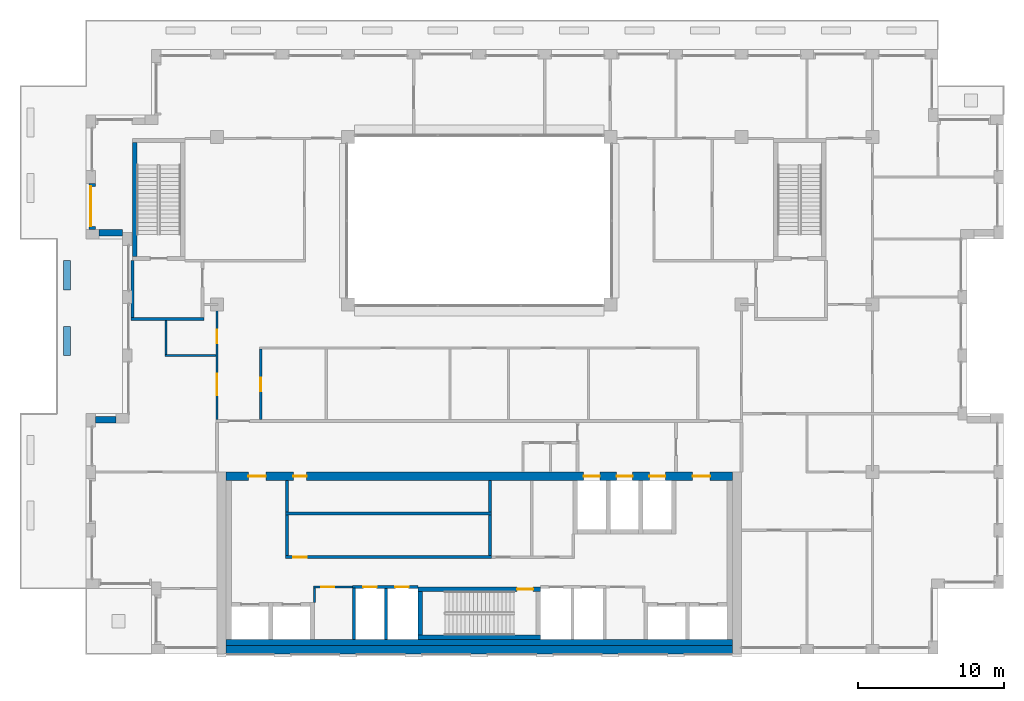
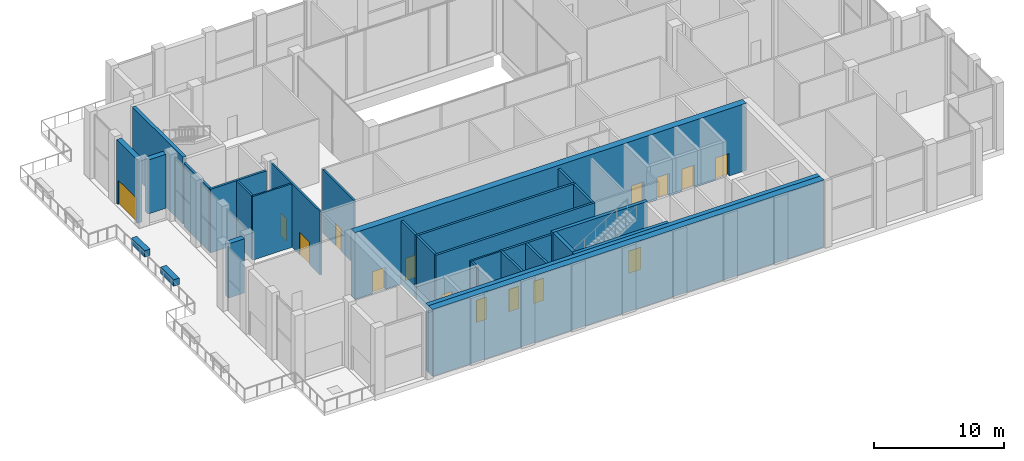
# One storey, part 12 of 18: 29 walls, 15 doors, 15 openings.
"""IFC4 building model written with IfcOpenShell, lengths in metres."""

from ifc_helpers import new_model, si_unit, direction, frame, frame_2d, origin, place, context, subcontext, project, spatial, rectangle, extrude, material, layer, layer_set, type_object, element, fill, save


model = new_model("IFC4")

# Units and contexts
model_context = context("Model", 3, precision=1e-05, world=origin(), true_north=direction((0.0, 1.0)))
body_context = subcontext(model_context, "Body", "Model", "MODEL_VIEW")
ifc_project = project(units=[si_unit("LENGTHUNIT", "METRE"), si_unit("AREAUNIT", "SQUARE_METRE"), si_unit("VOLUMEUNIT", "CUBIC_METRE"), si_unit("PLANEANGLEUNIT", "RADIAN"), si_unit("MASSUNIT", "GRAM", prefix="KILO")], contexts=[model_context])

# Site, building, storey
site_placement = place(None, origin())
site = spatial("IfcSite", under=ifc_project, at=site_placement, CompositionType="ELEMENT")
building_placement = place(site_placement, origin())
building = spatial("IfcBuilding", under=site, at=building_placement, Name="Brigalow Station Residences", CompositionType="ELEMENT")
storey_placement = place(building_placement, frame((0.0, 0.0, 191.699951171875)))
storey = spatial("IfcBuildingStorey", under=building, at=storey_placement, Name="L55", CompositionType="ELEMENT", Elevation=191.699951171875)

# Wall, opening, door
ifc_material_1 = material(Name="Clay brick masonry", Category="masonry")
ifc_layer_1 = layer(ifc_material_1, 0.449951171875)
ifc_layer_set_1 = layer_set([ifc_layer_1], Name="BRICK INFILL WALL 450")
wall_type_1 = type_object("IfcWallType", Name="BRICK INFILL WALL 450", PredefinedType="SOLIDWALL", material=ifc_layer_set_1)
wall_1_placement = place(storey_placement, frame((9.425048828125, 32.300048828125, 0.0), z_axis=(0.0, 0.0, 1.0), x_axis=(0.0, -1.0, 0.0)))
wall_1 = element("IfcWall", 1, at=wall_1_placement, inside=storey, type_object=wall_type_1, Name="L55/ewall/W-L55-35", PredefinedType="SOLIDWALL", context=body_context, shape_type="SweptSolid", body=[
    extrude(rectangle(XDim=3.150146484375, YDim=0.449951171875, at=frame_2d((1.5751953125, 0.0))), origin(), (0.0, 0.0, 1.0), 5.97998046875),
])
opening_1_placement = place(wall_1_placement, frame((0.199951171875, 0.0, 0.0)))
opening_1 = element("IfcOpeningElement", 2, at=opening_1_placement, cuts=wall_1, Name="Opening D-B2750", PredefinedType="OPENING", context=body_context, shape_type="SweptSolid", body=[
    extrude(rectangle(XDim=2.75, YDim=2.300048828125, at=frame_2d((1.375, 1.14990234375))), frame((0.0, 0.23486328125, 0.0), z_axis=(0.0, -1.0, 0.0), x_axis=(1.0, 0.0, 0.0)), (0.0, 0.0, 1.0), 0.469970703125),
])
ifc_material_2 = material(Name="Anodised aluminium frame with double glazing", Category="aluminium")
door_type_1 = type_object("IfcDoorType", Name="BALCONY SLIDING DOOR 2750x2300", OperationType="SLIDING_TO_LEFT", PredefinedType="DOOR", material=ifc_material_2)
door_1_placement = place(opening_1_placement, origin())
door_1 = element("IfcDoor", 3, at=door_1_placement, inside=storey, type_object=door_type_1, Name="L55/balcony-door/W-L55-35", OperationType="SLIDING_TO_LEFT", OverallHeight=2.300048828125, OverallWidth=2.75, PredefinedType="DOOR", context=body_context, shape_type="SweptSolid", body=[
    extrude(rectangle(XDim=2.75, YDim=2.300048828125, at=frame_2d((1.375, 1.14990234375))), frame((0.0, -0.06982421875, 0.0), z_axis=(0.0, -1.0, 0.0), x_axis=(1.0, 0.0, 0.0)), (0.0, 0.0, 1.0), 0.050048828125),
])
fill(opening_1, door_1)

# Walls
wall_2_placement = place(storey_placement, frame((9.89990234375, 28.925048828125, 0.900146484375), z_axis=(0.0, 0.0, 1.0), x_axis=(1.0, 0.0, 0.0)))
element("IfcWall", 4, at=wall_2_placement, inside=storey, type_object=wall_type_1, Name="L55/ewall/W-L55-36", PredefinedType="SOLIDWALL", context=body_context, shape_type="SweptSolid", body=[
    extrude(rectangle(XDim=1.60009765625, YDim=0.449951171875, at=frame_2d((0.800048828125, 0.0))), origin(), (0.0, 0.0, 1.0), 5.079833984375),
])
wall_3_placement = place(storey_placement, frame((11.050048828125, 16.074951171875, 0.900146484375), z_axis=(0.0, 0.0, 1.0), x_axis=(-1.0, 0.0, 0.0)))
element("IfcWall", 5, at=wall_3_placement, inside=storey, type_object=wall_type_1, Name="L55/ewall/W-L55-40", PredefinedType="SOLIDWALL", context=body_context, shape_type="SweptSolid", body=[
    extrude(rectangle(XDim=1.400146484375, YDim=0.449951171875, at=frame_2d((0.7001953125, 0.0))), origin(), (0.0, 0.0, 1.0), 5.079833984375),
])
ifc_material_3 = material(Name="Concrete C50", Category="concrete")
ifc_layer_2 = layer(ifc_material_3, 0.300048828125)
ifc_layer_set_2 = layer_set([ifc_layer_2], Name="CORE SHEAR WALL 300 C50")
wall_type_2 = type_object("IfcWallType", Name="CORE SHEAR WALL 300 C50", PredefinedType="SHEAR", material=ifc_layer_set_2)
wall_4_placement = place(storey_placement, frame((31.800048828125, 1.14990234375, 0.0), z_axis=(0.0, 0.0, 1.0), x_axis=(1.0, 0.0, 0.0)))
element("IfcWall", 6, at=wall_4_placement, inside=storey, type_object=wall_type_2, Name="CORE WALL ST-S2-S L55", PredefinedType="SHEAR", context=body_context, shape_type="SweptSolid", body=[
    extrude(rectangle(XDim=8.39990234375, YDim=0.300048828125, at=frame_2d((4.199951171875, 0.0))), origin(), (0.0, 0.0, 1.0), 6.300048828125),
])

# Wall, opening, door
wall_5_placement = place(storey_placement, frame((31.800048828125, 4.449951171875, 0.0), z_axis=(0.0, 0.0, 1.0), x_axis=(1.0, 0.0, 0.0)))
wall_5 = element("IfcWall", 7, at=wall_5_placement, inside=storey, type_object=wall_type_2, Name="CORE WALL ST-S2-N L55", PredefinedType="SHEAR", context=body_context, shape_type="SweptSolid", body=[
    extrude(rectangle(XDim=8.39990234375, YDim=0.300048828125, at=frame_2d((4.199951171875, 0.0))), origin(), (0.0, 0.0, 1.0), 6.300048828125),
])
opening_2_placement = place(wall_5_placement, frame((6.800048828125, 0.0, 0.0)))
opening_2 = element("IfcOpeningElement", 8, at=opening_2_placement, cuts=wall_5, Name="Opening D-5001", PredefinedType="OPENING", context=body_context, shape_type="SweptSolid", body=[
    extrude(rectangle(XDim=1.10009765625, YDim=2.10009765625, at=frame_2d((0.550048828125, 1.050048828125))), frame((0.0, 0.16015625, 0.0), z_axis=(0.0, -1.0, 0.0), x_axis=(1.0, 0.0, 0.0)), (0.0, 0.0, 1.0), 0.320068359375),
])
ifc_material_4 = material(Name="Steel fire door leaf in steel frame", Category="steel")
door_type_2 = type_object("IfcDoorType", Name="STAIR DOOR 1100 x 2100 FD60S", OperationType="SINGLE_SWING_LEFT", PredefinedType="DOOR", material=ifc_material_4)
door_2_placement = place(opening_2_placement, frame((1.10009765625, 0.0, 0.0), z_axis=(0.0, 0.0, 1.0), x_axis=(-1.0, 0.0, 0.0)))
door_2 = element("IfcDoor", 9, at=door_2_placement, inside=storey, type_object=door_type_2, Name="D-5001", OperationType="SINGLE_SWING_LEFT", OverallHeight=2.10009765625, OverallWidth=1.10009765625, PredefinedType="DOOR", context=body_context, shape_type="SweptSolid", body=[
    extrude(rectangle(XDim=1.10009765625, YDim=2.10009765625, at=frame_2d((0.550048828125, 1.050048828125))), frame((0.0, 0.02490234375, 0.0), z_axis=(0.0, -1.0, 0.0), x_axis=(1.0, 0.0, 0.0)), (0.0, 0.0, 1.0), 0.050048828125),
])
fill(opening_2, door_2)

# Walls
wall_6_placement = place(storey_placement, frame((31.949951171875, 1.300048828125, 0.0), z_axis=(0.0, 0.0, 1.0), x_axis=(0.0, 1.0, 0.0)))
element("IfcWall", 10, at=wall_6_placement, inside=storey, type_object=wall_type_2, Name="CORE WALL ST-S2-W L55", PredefinedType="SHEAR", context=body_context, shape_type="SweptSolid", body=[
    extrude(rectangle(XDim=3.0, YDim=0.300048828125, at=frame_2d((1.5, 0.0))), origin(), (0.0, 0.0, 1.0), 6.300048828125),
])
wall_7_placement = place(storey_placement, frame((12.35009765625, 27.300048828125, 0.0), z_axis=(0.0, 0.0, 1.0), x_axis=(0.0, 1.0, 0.0)))
element("IfcWall", 11, at=wall_7_placement, inside=storey, type_object=wall_type_2, Name="CORE WALL ST-S1-W L55", PredefinedType="SHEAR", context=body_context, shape_type="SweptSolid", body=[
    extrude(rectangle(XDim=7.800048828125, YDim=0.300048828125, at=frame_2d((3.89990234375, 0.0))), origin(), (0.0, 0.0, 1.0), 6.300048828125),
])
ifc_material_5 = material(Name="Concrete C50", Category="concrete")
ifc_layer_3 = layer(ifc_material_5, 0.39990234375)
ifc_layer_set_3 = layer_set([ifc_layer_3], Name="CORE SHEAR WALL 400 C50")
wall_type_3 = type_object("IfcWallType", Name="CORE SHEAR WALL 400 C50", PredefinedType="SHEAR", material=ifc_layer_set_3)
wall_8_placement = place(storey_placement, frame((18.60009765625, 0.800048828125, 0.0), z_axis=(0.0, 0.0, 1.0), x_axis=(1.0, 0.0, 0.0)))
element("IfcWall", 12, at=wall_8_placement, inside=storey, type_object=wall_type_3, Name="CORE WALL LIN-S L55", PredefinedType="SHEAR", context=body_context, shape_type="SweptSolid", body=[
    extrude(rectangle(XDim=34.7998046875, YDim=0.39990234375, at=frame_2d((17.39990234375, 0.0))), origin(), (0.0, 0.0, 1.0), 6.300048828125),
])
ifc_material_6 = material(Name="Concrete C50", Category="concrete")
ifc_layer_4 = layer(ifc_material_6, 0.60009765625)
ifc_layer_set_4 = layer_set([ifc_layer_4], Name="CORE SHEAR WALL 600 C50")
wall_type_4 = type_object("IfcWallType", Name="CORE SHEAR WALL 600 C50", PredefinedType="SHEAR", material=ifc_layer_set_4)
wall_9_placement = place(storey_placement, frame((18.60009765625, 0.300048828125, 0.0), z_axis=(0.0, 0.0, 1.0), x_axis=(1.0, 0.0, 0.0)))
element("IfcWall", 13, at=wall_9_placement, inside=storey, type_object=wall_type_4, Name="CORE WALL OUT-S L55", PredefinedType="SHEAR", context=body_context, shape_type="SweptSolid", body=[
    extrude(rectangle(XDim=34.7998046875, YDim=0.60009765625, at=frame_2d((17.39990234375, 0.0))), origin(), (0.0, 0.0, 1.0), 6.300048828125),
])

# Wall, openings, doors
wall_10_placement = place(storey_placement, frame((18.60009765625, 12.199951171875, 0.0), z_axis=(0.0, 0.0, 1.0), x_axis=(1.0, 0.0, 0.0)))
wall_10 = element("IfcWall", 14, at=wall_10_placement, inside=storey, type_object=wall_type_4, Name="CORE WALL OUT-N L55", PredefinedType="SHEAR", context=body_context, shape_type="SweptSolid", body=[
    extrude(rectangle(XDim=34.7998046875, YDim=0.60009765625, at=frame_2d((17.39990234375, 0.0))), origin(), (0.0, 0.0, 1.0), 6.300048828125),
])
opening_3_placement = place(wall_10_placement, frame((24.574951171875, 0.0, 0.0)))
opening_3 = element("IfcOpeningElement", 15, at=opening_3_placement, cuts=wall_10, Name="Opening LD-LF1", PredefinedType="OPENING", context=body_context, shape_type="SweptSolid", body=[
    extrude(rectangle(XDim=1.10009765625, YDim=2.10009765625, at=frame_2d((0.550048828125, 1.050048828125))), frame((0.0, 0.31005859375, 0.0), z_axis=(0.0, -1.0, 0.0), x_axis=(1.0, 0.0, 0.0)), (0.0, 0.0, 1.0), 0.6201171875),
])
opening_4_placement = place(wall_10_placement, frame((26.824951171875, 0.0, 0.0)))
opening_4 = element("IfcOpeningElement", 16, at=opening_4_placement, cuts=wall_10, Name="Opening LD-LF2", PredefinedType="OPENING", context=body_context, shape_type="SweptSolid", body=[
    extrude(rectangle(XDim=1.10009765625, YDim=2.10009765625, at=frame_2d((0.550048828125, 1.050048828125))), frame((0.0, 0.31005859375, 0.0), z_axis=(0.0, -1.0, 0.0), x_axis=(1.0, 0.0, 0.0)), (0.0, 0.0, 1.0), 0.6201171875),
])
opening_5_placement = place(wall_10_placement, frame((29.074951171875, 0.0, 0.0)))
opening_5 = element("IfcOpeningElement", 17, at=opening_5_placement, cuts=wall_10, Name="Opening LD-LG1", PredefinedType="OPENING", context=body_context, shape_type="SweptSolid", body=[
    extrude(rectangle(XDim=1.10009765625, YDim=2.10009765625, at=frame_2d((0.550048828125, 1.050048828125))), frame((0.0, 0.31005859375, 0.0), z_axis=(0.0, -1.0, 0.0), x_axis=(1.0, 0.0, 0.0)), (0.0, 0.0, 1.0), 0.6201171875),
])
opening_6_placement = place(wall_10_placement, frame((4.64990234375, 0.0, 0.0)))
opening_6 = element("IfcOpeningElement", 18, at=opening_6_placement, cuts=wall_10, Name="Opening D-5127", PredefinedType="OPENING", context=body_context, shape_type="SweptSolid", body=[
    extrude(rectangle(XDim=0.89990234375, YDim=2.10009765625, at=frame_2d((0.449951171875, 1.050048828125))), frame((0.0, 0.31005859375, 0.0), z_axis=(0.0, -1.0, 0.0), x_axis=(1.0, 0.0, 0.0)), (0.0, 0.0, 1.0), 0.6201171875),
])
opening_7_placement = place(wall_10_placement, frame((1.550048828125, 0.0, 0.0)))
opening_7 = element("IfcOpeningElement", 19, at=opening_7_placement, cuts=wall_10, Name="Opening D-5011", PredefinedType="OPENING", context=body_context, shape_type="SweptSolid", body=[
    extrude(rectangle(XDim=1.199951171875, YDim=2.10009765625, at=frame_2d((0.60009765625, 1.050048828125))), frame((0.0, 0.31005859375, 0.0), z_axis=(0.0, -1.0, 0.0), x_axis=(1.0, 0.0, 0.0)), (0.0, 0.0, 1.0), 0.6201171875),
])
opening_8_placement = place(wall_10_placement, frame((32.050048828125, 0.0, 0.0)))
opening_8 = element("IfcOpeningElement", 20, at=opening_8_placement, cuts=wall_10, Name="Opening D-5012", PredefinedType="OPENING", context=body_context, shape_type="SweptSolid", body=[
    extrude(rectangle(XDim=1.199951171875, YDim=2.10009765625, at=frame_2d((0.60009765625, 1.050048828125))), frame((0.0, 0.31005859375, 0.0), z_axis=(0.0, -1.0, 0.0), x_axis=(1.0, 0.0, 0.0)), (0.0, 0.0, 1.0), 0.6201171875),
])
ifc_material_7 = material(Name="Steel fire door leaf in steel frame", Category="steel")
door_type_3 = type_object("IfcDoorType", Name="CORE CORRIDOR DOOR 1200 x 2100 FD60S", OperationType="SINGLE_SWING_LEFT", PredefinedType="DOOR", material=ifc_material_7)
door_3_placement = place(opening_7_placement, frame((1.199951171875, 0.0, 0.0), z_axis=(0.0, 0.0, 1.0), x_axis=(-1.0, 0.0, 0.0)))
door_3 = element("IfcDoor", 21, at=door_3_placement, inside=storey, type_object=door_type_3, Name="D-5011", OperationType="SINGLE_SWING_LEFT", OverallHeight=2.10009765625, OverallWidth=1.199951171875, PredefinedType="DOOR", context=body_context, shape_type="SweptSolid", body=[
    extrude(rectangle(XDim=1.199951171875, YDim=2.10009765625, at=frame_2d((0.60009765625, 1.050048828125))), frame((0.0, 0.02490234375, 0.0), z_axis=(0.0, -1.0, 0.0), x_axis=(1.0, 0.0, 0.0)), (0.0, 0.0, 1.0), 0.050048828125),
])
fill(opening_7, door_3)
door_4_placement = place(opening_8_placement, frame((1.199951171875, 0.0, 0.0), z_axis=(0.0, 0.0, 1.0), x_axis=(-1.0, 0.0, 0.0)))
door_4 = element("IfcDoor", 22, at=door_4_placement, inside=storey, type_object=door_type_3, Name="D-5012", OperationType="SINGLE_SWING_LEFT", OverallHeight=2.10009765625, OverallWidth=1.199951171875, PredefinedType="DOOR", context=body_context, shape_type="SweptSolid", body=[
    extrude(rectangle(XDim=1.199951171875, YDim=2.10009765625, at=frame_2d((0.60009765625, 1.050048828125))), frame((0.0, 0.02490234375, 0.0), z_axis=(0.0, -1.0, 0.0), x_axis=(1.0, 0.0, 0.0)), (0.0, 0.0, 1.0), 0.050048828125),
])
fill(opening_8, door_4)
ifc_material_8 = material(Name="Stainless steel sliding door leaves", Category="steel")
door_type_4 = type_object("IfcDoorType", Name="LIFT LANDING DOOR 1100 x 2100", OperationType="DOUBLE_DOOR_SLIDING", PredefinedType="DOOR", material=ifc_material_8)
door_5_placement = place(opening_3_placement, origin())
door_5 = element("IfcDoor", 23, at=door_5_placement, inside=storey, type_object=door_type_4, Name="LANDING DOOR LF1", OperationType="DOUBLE_DOOR_SLIDING", OverallHeight=2.10009765625, OverallWidth=1.10009765625, PredefinedType="DOOR", context=body_context, shape_type="SweptSolid", body=[
    extrude(rectangle(XDim=1.10009765625, YDim=2.10009765625, at=frame_2d((0.550048828125, 1.050048828125))), frame((0.0, 0.02490234375, 0.0), z_axis=(0.0, -1.0, 0.0), x_axis=(1.0, 0.0, 0.0)), (0.0, 0.0, 1.0), 0.050048828125),
])
fill(opening_3, door_5)
door_6_placement = place(opening_4_placement, origin())
door_6 = element("IfcDoor", 24, at=door_6_placement, inside=storey, type_object=door_type_4, Name="LANDING DOOR LF2", OperationType="DOUBLE_DOOR_SLIDING", OverallHeight=2.10009765625, OverallWidth=1.10009765625, PredefinedType="DOOR", context=body_context, shape_type="SweptSolid", body=[
    extrude(rectangle(XDim=1.10009765625, YDim=2.10009765625, at=frame_2d((0.550048828125, 1.050048828125))), frame((0.0, 0.02490234375, 0.0), z_axis=(0.0, -1.0, 0.0), x_axis=(1.0, 0.0, 0.0)), (0.0, 0.0, 1.0), 0.050048828125),
])
fill(opening_4, door_6)
door_7_placement = place(opening_5_placement, origin())
door_7 = element("IfcDoor", 25, at=door_7_placement, inside=storey, type_object=door_type_4, Name="LANDING DOOR LG1", OperationType="DOUBLE_DOOR_SLIDING", OverallHeight=2.10009765625, OverallWidth=1.10009765625, PredefinedType="DOOR", context=body_context, shape_type="SweptSolid", body=[
    extrude(rectangle(XDim=1.10009765625, YDim=2.10009765625, at=frame_2d((0.550048828125, 1.050048828125))), frame((0.0, 0.02490234375, 0.0), z_axis=(0.0, -1.0, 0.0), x_axis=(1.0, 0.0, 0.0)), (0.0, 0.0, 1.0), 0.050048828125),
])
fill(opening_5, door_7)
ifc_material_9 = material(Name="Steel door leaf in steel frame", Category="steel")
door_type_5 = type_object("IfcDoorType", Name="SERVICE ROOM DOOR 900 x 2100 FD60", OperationType="SINGLE_SWING_LEFT", PredefinedType="DOOR", material=ifc_material_9)
door_8_placement = place(opening_6_placement, frame((0.89990234375, 0.0, 0.0), z_axis=(0.0, 0.0, 1.0), x_axis=(-1.0, 0.0, 0.0)))
door_8 = element("IfcDoor", 26, at=door_8_placement, inside=storey, type_object=door_type_5, Name="D-5127", OperationType="SINGLE_SWING_RIGHT", OverallHeight=2.10009765625, OverallWidth=0.89990234375, PredefinedType="DOOR", context=body_context, shape_type="SweptSolid", body=[
    extrude(rectangle(XDim=0.89990234375, YDim=2.10009765625, at=frame_2d((0.449951171875, 1.050048828125))), frame((0.0, 0.02490234375, 0.0), z_axis=(0.0, -1.0, 0.0), x_axis=(1.0, 0.0, 0.0)), (0.0, 0.0, 1.0), 0.050048828125),
])
fill(opening_6, door_8)

ifc_material_10 = material(Name="Concrete blockwork", Category="masonry")
ifc_layer_5 = layer(ifc_material_10, 0.199951171875)
ifc_layer_set_5 = layer_set([ifc_layer_5], Name="FIRE RATED CORE PARTITION 200")
wall_type_5 = type_object("IfcWallType", Name="FIRE RATED CORE PARTITION 200", PredefinedType="PARTITIONING", material=ifc_layer_set_5)
wall_11_placement = place(storey_placement, frame((27.300048828125, 4.60009765625, 0.0), z_axis=(0.0, 0.0, 1.0), x_axis=(1.0, 0.0, 0.0)))
wall_11 = element("IfcWall", 27, at=wall_11_placement, inside=storey, type_object=wall_type_5, Name="PW-5017", PredefinedType="PARTITIONING", context=body_context, shape_type="SweptSolid", body=[
    extrude(rectangle(XDim=4.5, YDim=0.199951171875, at=frame_2d((2.25, 0.0))), origin(), (0.0, 0.0, 1.0), 5.97998046875),
])
opening_9_placement = place(wall_11_placement, frame((0.75, 0.0, 0.0)))
opening_9 = element("IfcOpeningElement", 28, at=opening_9_placement, cuts=wall_11, Name="Opening D-5007", PredefinedType="OPENING", context=body_context, shape_type="SweptSolid", body=[
    extrude(rectangle(XDim=0.89990234375, YDim=2.10009765625, at=frame_2d((0.449951171875, 1.050048828125))), frame((0.0, 0.10986328125, 0.0), z_axis=(0.0, -1.0, 0.0), x_axis=(1.0, 0.0, 0.0)), (0.0, 0.0, 1.0), 0.219970703125),
])
opening_10_placement = place(wall_11_placement, frame((2.949951171875, 0.0, 0.0)))
opening_10 = element("IfcOpeningElement", 29, at=opening_10_placement, cuts=wall_11, Name="Opening D-5008", PredefinedType="OPENING", context=body_context, shape_type="SweptSolid", body=[
    extrude(rectangle(XDim=0.89990234375, YDim=2.10009765625, at=frame_2d((0.449951171875, 1.050048828125))), frame((0.0, 0.10986328125, 0.0), z_axis=(0.0, -1.0, 0.0), x_axis=(1.0, 0.0, 0.0)), (0.0, 0.0, 1.0), 0.219970703125),
])
ifc_material_11 = material(Name="Steel fire door leaf in steel frame", Category="steel")
door_type_6 = type_object("IfcDoorType", Name="RISER ACCESS DOOR 900 x 2100 FD120", OperationType="SINGLE_SWING_LEFT", PredefinedType="DOOR", material=ifc_material_11)
door_9_placement = place(opening_9_placement, frame((0.89990234375, 0.0, 0.0), z_axis=(0.0, 0.0, 1.0), x_axis=(-1.0, 0.0, 0.0)))
door_9 = element("IfcDoor", 30, at=door_9_placement, inside=storey, type_object=door_type_6, Name="D-5007", OperationType="SINGLE_SWING_LEFT", OverallHeight=2.10009765625, OverallWidth=0.89990234375, PredefinedType="DOOR", context=body_context, shape_type="SweptSolid", body=[
    extrude(rectangle(XDim=0.89990234375, YDim=2.10009765625, at=frame_2d((0.449951171875, 1.050048828125))), frame((0.0, 0.02490234375, 0.0), z_axis=(0.0, -1.0, 0.0), x_axis=(1.0, 0.0, 0.0)), (0.0, 0.0, 1.0), 0.050048828125),
])
fill(opening_9, door_9)
door_10_placement = place(opening_10_placement, frame((0.89990234375, 0.0, 0.0), z_axis=(0.0, 0.0, 1.0), x_axis=(-1.0, 0.0, 0.0)))
door_10 = element("IfcDoor", 31, at=door_10_placement, inside=storey, type_object=door_type_6, Name="D-5008", OperationType="SINGLE_SWING_RIGHT", OverallHeight=2.10009765625, OverallWidth=0.89990234375, PredefinedType="DOOR", context=body_context, shape_type="SweptSolid", body=[
    extrude(rectangle(XDim=0.89990234375, YDim=2.10009765625, at=frame_2d((0.449951171875, 1.050048828125))), frame((0.0, 0.02490234375, 0.0), z_axis=(0.0, -1.0, 0.0), x_axis=(1.0, 0.0, 0.0)), (0.0, 0.0, 1.0), 0.050048828125),
])
fill(opening_10, door_10)

# Wall, opening, door
wall_12_placement = place(storey_placement, frame((22.699951171875, 6.64990234375, 0.0), z_axis=(0.0, 0.0, 1.0), x_axis=(1.0, 0.0, 0.0)))
wall_12 = element("IfcWall", 32, at=wall_12_placement, inside=storey, type_object=wall_type_5, Name="PW-5259", PredefinedType="PARTITIONING", context=body_context, shape_type="SweptSolid", body=[
    extrude(rectangle(XDim=14.150146484375, YDim=0.199951171875, at=frame_2d((7.0751953125, 0.0))), origin(), (0.0, 0.0, 1.0), 5.97998046875),
])
opening_11_placement = place(wall_12_placement, frame((0.550048828125, 0.0, 0.0)))
opening_11 = element("IfcOpeningElement", 33, at=opening_11_placement, cuts=wall_12, Name="Opening D-5128", PredefinedType="OPENING", context=body_context, shape_type="SweptSolid", body=[
    extrude(rectangle(XDim=0.89990234375, YDim=2.10009765625, at=frame_2d((0.449951171875, 1.050048828125))), frame((0.0, 0.10986328125, 0.0), z_axis=(0.0, -1.0, 0.0), x_axis=(1.0, 0.0, 0.0)), (0.0, 0.0, 1.0), 0.219970703125),
])
ifc_material_12 = material(Name="Steel fire door leaf in steel frame", Category="steel")
door_type_7 = type_object("IfcDoorType", Name="PLANT ROOM DOOR 900 x 2100 FD60", OperationType="SINGLE_SWING_LEFT", PredefinedType="DOOR", material=ifc_material_12)
door_11_placement = place(opening_11_placement, origin())
door_11 = element("IfcDoor", 34, at=door_11_placement, inside=storey, type_object=door_type_7, Name="D-5128", OperationType="SINGLE_SWING_LEFT", OverallHeight=2.10009765625, OverallWidth=0.89990234375, PredefinedType="DOOR", context=body_context, shape_type="SweptSolid", body=[
    extrude(rectangle(XDim=0.89990234375, YDim=2.10009765625, at=frame_2d((0.449951171875, 1.050048828125))), frame((0.0, 0.02490234375, 0.0), z_axis=(0.0, -1.0, 0.0), x_axis=(1.0, 0.0, 0.0)), (0.0, 0.0, 1.0), 0.050048828125),
])
fill(opening_11, door_11)

# Walls
wall_13_placement = place(storey_placement, frame((22.699951171875, 9.64990234375, 0.0), z_axis=(0.0, 0.0, 1.0), x_axis=(1.0, 0.0, 0.0)))
element("IfcWall", 35, at=wall_13_placement, inside=storey, type_object=wall_type_5, Name="PW-5247", PredefinedType="PARTITIONING", context=body_context, shape_type="SweptSolid", body=[
    extrude(rectangle(XDim=14.150146484375, YDim=0.199951171875, at=frame_2d((7.0751953125, 0.0))), origin(), (0.0, 0.0, 1.0), 5.97998046875),
])
wall_14_placement = place(storey_placement, frame((12.10009765625, 23.0, 0.0), z_axis=(0.0, 0.0, 1.0), x_axis=(1.0, 0.0, 0.0)))
element("IfcWall", 36, at=wall_14_placement, inside=storey, type_object=wall_type_5, Name="PW-5023", PredefinedType="PARTITIONING", context=body_context, shape_type="SweptSolid", body=[
    extrude(rectangle(XDim=5.0, YDim=0.199951171875, at=frame_2d((2.5, 0.0))), origin(), (0.0, 0.0, 1.0), 5.97998046875),
])
wall_15_placement = place(storey_placement, frame((27.39990234375, 1.0, 0.0), z_axis=(0.0, 0.0, 1.0), x_axis=(0.0, 1.0, 0.0)))
element("IfcWall", 37, at=wall_15_placement, inside=storey, type_object=wall_type_5, Name="PW-5027", PredefinedType="PARTITIONING", context=body_context, shape_type="SweptSolid", body=[
    extrude(rectangle(XDim=3.52490234375, YDim=0.199951171875, at=frame_2d((1.762451171875, 0.0))), origin(), (0.0, 0.0, 1.0), 5.97998046875),
])
wall_16_placement = place(storey_placement, frame((29.60009765625, 1.0, 0.0), z_axis=(0.0, 0.0, 1.0), x_axis=(0.0, 1.0, 0.0)))
element("IfcWall", 38, at=wall_16_placement, inside=storey, type_object=wall_type_5, Name="PW-5006", PredefinedType="PARTITIONING", context=body_context, shape_type="SweptSolid", body=[
    extrude(rectangle(XDim=3.5, YDim=0.199951171875, at=frame_2d((1.75, 0.0))), origin(), (0.0, 0.0, 1.0), 5.97998046875),
])
for number, where, z_axis, x_axis, name in (
    (39, (22.800048828125, 6.75, 0.0), (0.0, 0.0, 1.0), (0.0, 1.0, 0.0), "PW-5252"),
    (40, (36.75, 6.75, 0.0), (0.0, 0.0, 1.0), (0.0, 1.0, 0.0), "PW-5298"),
):
    element("IfcWall", number, at=place(storey_placement, frame(where, z_axis=z_axis, x_axis=x_axis)), inside=storey, type_object=wall_type_5, Name=name, PredefinedType="PARTITIONING", context=body_context, shape_type="SweptSolid", body=[
        extrude(rectangle(XDim=2.800048828125, YDim=0.199951171875, at=frame_2d((1.39990234375, 0.0))), origin(), (0.0, 0.0, 1.0), 5.97998046875),
    ])
for number, where, z_axis, x_axis, name in (
    (41, (22.800048828125, 9.75, 0.0), (0.0, 0.0, 1.0), (0.0, 1.0, 0.0), "PW-5255"),
    (42, (36.75, 9.75, 0.0), (0.0, 0.0, 1.0), (0.0, 1.0, 0.0), "PW-5256"),
):
    element("IfcWall", number, at=place(storey_placement, frame(where, z_axis=z_axis, x_axis=x_axis)), inside=storey, type_object=wall_type_5, Name=name, PredefinedType="PARTITIONING", context=body_context, shape_type="SweptSolid", body=[
        extrude(rectangle(XDim=2.14990234375, YDim=0.199951171875, at=frame_2d((1.074951171875, 0.0))), origin(), (0.0, 0.0, 1.0), 5.97998046875),
    ])
wall_17_placement = place(storey_placement, frame((12.199951171875, 23.10009765625, 0.0), z_axis=(0.0, 0.0, 1.0), x_axis=(0.0, 1.0, 0.0)))
element("IfcWall", 43, at=wall_17_placement, inside=storey, type_object=wall_type_5, Name="PW-5034", PredefinedType="PARTITIONING", context=body_context, shape_type="SweptSolid", body=[
    extrude(rectangle(XDim=3.89990234375, YDim=0.199951171875, at=frame_2d((1.949951171875, 0.0))), origin(), (0.0, 0.0, 1.0), 5.97998046875),
])
ifc_material_13 = material(Name="Plasterboard on steel stud partition", Category="steel")
ifc_layer_6 = layer(ifc_material_13, 0.14990234375)
ifc_layer_set_6 = layer_set([ifc_layer_6], Name="FLAT PARTITION 150")
wall_type_6 = type_object("IfcWallType", Name="FLAT PARTITION 150", PredefinedType="PARTITIONING", material=ifc_layer_set_6)
wall_18_placement = place(storey_placement, frame((14.425048828125, 20.5, 0.0), z_axis=(0.0, 0.0, 1.0), x_axis=(1.0, 0.0, 0.0)))
element("IfcWall", 44, at=wall_18_placement, inside=storey, type_object=wall_type_6, Name="PW-SA210", PredefinedType="PARTITIONING", context=body_context, shape_type="SweptSolid", body=[
    extrude(rectangle(XDim=3.5, YDim=0.14990234375, at=frame_2d((1.75, 0.0))), origin(), (0.0, 0.0, 1.0), 5.97998046875),
])

# Wall, openings, doors
wall_19_placement = place(storey_placement, frame((18.0, 16.10009765625, 0.0), z_axis=(0.0, 0.0, 1.0), x_axis=(0.0, 1.0, 0.0)))
wall_19 = element("IfcWall", 45, at=wall_19_placement, inside=storey, type_object=wall_type_6, Name="PW-SA220", PredefinedType="PARTITIONING", context=body_context, shape_type="SweptSolid", body=[
    extrude(rectangle(XDim=7.824951171875, YDim=0.14990234375, at=frame_2d((3.91259765625, 0.0))), origin(), (0.0, 0.0, 1.0), 5.97998046875),
])
opening_12_placement = place(wall_19_placement, frame((1.64990234375, 0.0, 0.0)))
opening_12 = element("IfcOpeningElement", 46, at=opening_12_placement, cuts=wall_19, Name="Opening D-SA212", PredefinedType="OPENING", context=body_context, shape_type="SweptSolid", body=[
    extrude(rectangle(XDim=1.5, YDim=2.10009765625, at=frame_2d((0.75, 1.050048828125))), frame((0.0, 0.0849609375, 0.0), z_axis=(0.0, -1.0, 0.0), x_axis=(1.0, 0.0, 0.0)), (0.0, 0.0, 1.0), 0.169921875),
])
opening_13_placement = place(wall_19_placement, frame((5.25, 0.0, 0.0)))
opening_13 = element("IfcOpeningElement", 47, at=opening_13_placement, cuts=wall_19, Name="Opening D-SA213", PredefinedType="OPENING", context=body_context, shape_type="SweptSolid", body=[
    extrude(rectangle(XDim=0.89990234375, YDim=2.10009765625, at=frame_2d((0.449951171875, 1.050048828125))), frame((0.0, 0.0849609375, 0.0), z_axis=(0.0, -1.0, 0.0), x_axis=(1.0, 0.0, 0.0)), (0.0, 0.0, 1.0), 0.169921875),
])
ifc_material_14 = material(Name="Solid-core timber door leaf", Category="wood")
door_type_8 = type_object("IfcDoorType", Name="INTERNAL DOOR 900 x 2100", OperationType="SINGLE_SWING_LEFT", PredefinedType="DOOR", material=ifc_material_14)
door_12_placement = place(opening_13_placement, origin())
door_12 = element("IfcDoor", 48, at=door_12_placement, inside=storey, type_object=door_type_8, Name="D-SA213", OperationType="SINGLE_SWING_LEFT", OverallHeight=2.10009765625, OverallWidth=0.89990234375, PredefinedType="DOOR", context=body_context, shape_type="SweptSolid", body=[
    extrude(rectangle(XDim=0.89990234375, YDim=2.10009765625, at=frame_2d((0.449951171875, 1.050048828125))), frame((0.0, 0.02490234375, 0.0), z_axis=(0.0, -1.0, 0.0), x_axis=(1.0, 0.0, 0.0)), (0.0, 0.0, 1.0), 0.050048828125),
])
fill(opening_13, door_12)
ifc_material_15 = material(Name="Solid-core timber door leaf", Category="wood")
door_type_9 = type_object("IfcDoorType", Name="INTERNAL DOUBLE DOOR 1500 x 2100", OperationType="DOUBLE_DOOR_SINGLE_SWING", PredefinedType="DOOR", material=ifc_material_15)
door_13_placement = place(opening_12_placement, frame((1.5, 0.0, 0.0), z_axis=(0.0, 0.0, 1.0), x_axis=(-1.0, 0.0, 0.0)))
door_13 = element("IfcDoor", 49, at=door_13_placement, inside=storey, type_object=door_type_9, Name="D-SA212", OperationType="DOUBLE_DOOR_SINGLE_SWING", OverallHeight=2.10009765625, OverallWidth=1.5, PredefinedType="DOOR", context=body_context, shape_type="SweptSolid", body=[
    extrude(rectangle(XDim=1.5, YDim=2.10009765625, at=frame_2d((0.75, 1.050048828125))), frame((0.0, 0.02490234375, 0.0), z_axis=(0.0, -1.0, 0.0), x_axis=(1.0, 0.0, 0.0)), (0.0, 0.0, 1.0), 0.050048828125),
])
fill(opening_12, door_13)

# Wall, opening, door
wall_20_placement = place(storey_placement, frame((21.0, 16.10009765625, 0.0), z_axis=(0.0, 0.0, 1.0), x_axis=(0.0, 1.0, 0.0)))
wall_20 = element("IfcWall", 50, at=wall_20_placement, inside=storey, type_object=wall_type_6, Name="PW-SA222", PredefinedType="PARTITIONING", context=body_context, shape_type="SweptSolid", body=[
    extrude(rectangle(XDim=4.824951171875, YDim=0.14990234375, at=frame_2d((2.41259765625, 0.0))), origin(), (0.0, 0.0, 1.0), 5.97998046875),
])
opening_14_placement = place(wall_20_placement, frame((1.949951171875, 0.0, 0.0)))
opening_14 = element("IfcOpeningElement", 51, at=opening_14_placement, cuts=wall_20, Name="Opening D-SA216", PredefinedType="OPENING", context=body_context, shape_type="SweptSolid", body=[
    extrude(rectangle(XDim=0.89990234375, YDim=2.10009765625, at=frame_2d((0.449951171875, 1.050048828125))), frame((0.0, 0.0849609375, 0.0), z_axis=(0.0, -1.0, 0.0), x_axis=(1.0, 0.0, 0.0)), (0.0, 0.0, 1.0), 0.169921875),
])
door_14_placement = place(opening_14_placement, frame((0.89990234375, 0.0, 0.0), z_axis=(0.0, 0.0, 1.0), x_axis=(-1.0, 0.0, 0.0)))
door_14 = element("IfcDoor", 52, at=door_14_placement, inside=storey, type_object=door_type_8, Name="D-SA216", OperationType="SINGLE_SWING_RIGHT", OverallHeight=2.10009765625, OverallWidth=0.89990234375, PredefinedType="DOOR", context=body_context, shape_type="SweptSolid", body=[
    extrude(rectangle(XDim=0.89990234375, YDim=2.10009765625, at=frame_2d((0.449951171875, 1.050048828125))), frame((0.0, 0.02490234375, 0.0), z_axis=(0.0, -1.0, 0.0), x_axis=(1.0, 0.0, 0.0)), (0.0, 0.0, 1.0), 0.050048828125),
])
fill(opening_14, door_14)

# Walls
wall_21_placement = place(storey_placement, frame((14.5, 20.574951171875, 0.0), z_axis=(0.0, 0.0, 1.0), x_axis=(0.0, 1.0, 0.0)))
element("IfcWall", 53, at=wall_21_placement, inside=storey, type_object=wall_type_6, Name="PW-SA234", PredefinedType="PARTITIONING", context=body_context, shape_type="SweptSolid", body=[
    extrude(rectangle(XDim=2.324951171875, YDim=0.14990234375, at=frame_2d((1.16259765625, 0.0))), origin(), (0.0, 0.0, 1.0), 5.97998046875),
])
ifc_material_16 = material(Name="Concrete C50 precast", Category="concrete")
ifc_layer_7 = layer(ifc_material_16, 0.5)
ifc_layer_set_7 = layer_set([ifc_layer_7], Name="PLANTER 500x600")
wall_type_7 = type_object("IfcWallType", Name="PLANTER 500x600", PredefinedType="USERDEFINED", material=ifc_layer_set_7)
for number, where, z_axis, x_axis, name in (
    (54, (7.699951171875, 27.0, -0.0400390625), (0.0, 0.0, 1.0), (0.0, -1.0, 0.0), "L55/planter/1-15"),
    (55, (7.699951171875, 22.5, -0.0400390625), (0.0, 0.0, 1.0), (0.0, -1.0, 0.0), "L55/planter/1-16"),
):
    element("IfcWall", number, at=place(storey_placement, frame(where, z_axis=z_axis, x_axis=x_axis)), inside=storey, type_object=wall_type_7, Name=name, ObjectType="PLANTER", PredefinedType="USERDEFINED", context=body_context, shape_type="SweptSolid", body=[
        extrude(rectangle(XDim=2.0, YDim=0.5, at=frame_2d((1.0, 0.0))), origin(), (0.0, 0.0, 1.0), 0.60009765625),
    ])

# Wall, opening, door
ifc_material_17 = material(Name="Plasterboard on steel studs", Category="steel")
ifc_layer_8 = layer(ifc_material_17, 0.14990234375)
ifc_layer_set_8 = layer_set([ifc_layer_8], Name="SERVICE ROOM PARTITION 150")
wall_type_8 = type_object("IfcWallType", Name="SERVICE ROOM PARTITION 150", PredefinedType="PARTITIONING", material=ifc_layer_set_8)
wall_22_placement = place(storey_placement, frame((24.625, 4.60009765625, 0.0), z_axis=(0.0, 0.0, 1.0), x_axis=(1.0, 0.0, 0.0)))
wall_22 = element("IfcWall", 56, at=wall_22_placement, inside=storey, type_object=wall_type_8, Name="PW-5155", PredefinedType="PARTITIONING", context=body_context, shape_type="SweptSolid", body=[
    extrude(rectangle(XDim=2.675048828125, YDim=0.14990234375, at=frame_2d((1.33740234375, 0.0))), origin(), (0.0, 0.0, 1.0), 5.97998046875),
])
opening_15_placement = place(wall_22_placement, frame((0.52490234375, 0.0, 0.0)))
opening_15 = element("IfcOpeningElement", 57, at=opening_15_placement, cuts=wall_22, Name="Opening D-5087", PredefinedType="OPENING", context=body_context, shape_type="SweptSolid", body=[
    extrude(rectangle(XDim=0.89990234375, YDim=2.10009765625, at=frame_2d((0.449951171875, 1.050048828125))), frame((0.0, 0.0849609375, 0.0), z_axis=(0.0, -1.0, 0.0), x_axis=(1.0, 0.0, 0.0)), (0.0, 0.0, 1.0), 0.169921875),
])
door_15_placement = place(opening_15_placement, frame((0.89990234375, 0.0, 0.0), z_axis=(0.0, 0.0, 1.0), x_axis=(-1.0, 0.0, 0.0)))
door_15 = element("IfcDoor", 58, at=door_15_placement, inside=storey, type_object=door_type_5, Name="D-5087", OperationType="SINGLE_SWING_RIGHT", OverallHeight=2.10009765625, OverallWidth=0.89990234375, PredefinedType="DOOR", context=body_context, shape_type="SweptSolid", body=[
    extrude(rectangle(XDim=0.89990234375, YDim=2.10009765625, at=frame_2d((0.449951171875, 1.050048828125))), frame((0.0, 0.02490234375, 0.0), z_axis=(0.0, -1.0, 0.0), x_axis=(1.0, 0.0, 0.0)), (0.0, 0.0, 1.0), 0.050048828125),
])
fill(opening_15, door_15)

# Wall
wall_23_placement = place(storey_placement, frame((24.699951171875, 3.550048828125, 0.0), z_axis=(0.0, 0.0, 1.0), x_axis=(0.0, 1.0, 0.0)))
element("IfcWall", 59, at=wall_23_placement, inside=storey, type_object=wall_type_8, Name="PW-5157", PredefinedType="PARTITIONING", context=body_context, shape_type="SweptSolid", body=[
    extrude(rectangle(XDim=0.974853515625, YDim=0.14990234375, at=frame_2d((0.4873046875, 0.0))), origin(), (0.0, 0.0, 1.0), 5.97998046875),
])

save(model, "model.ifc")
